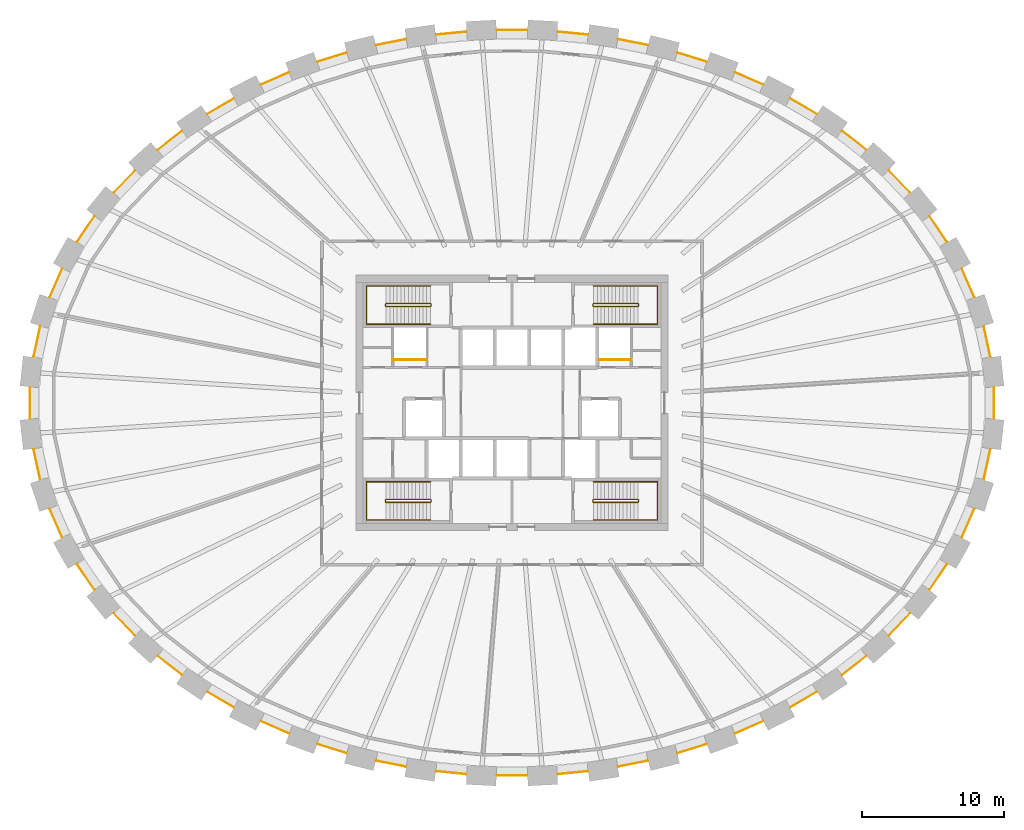
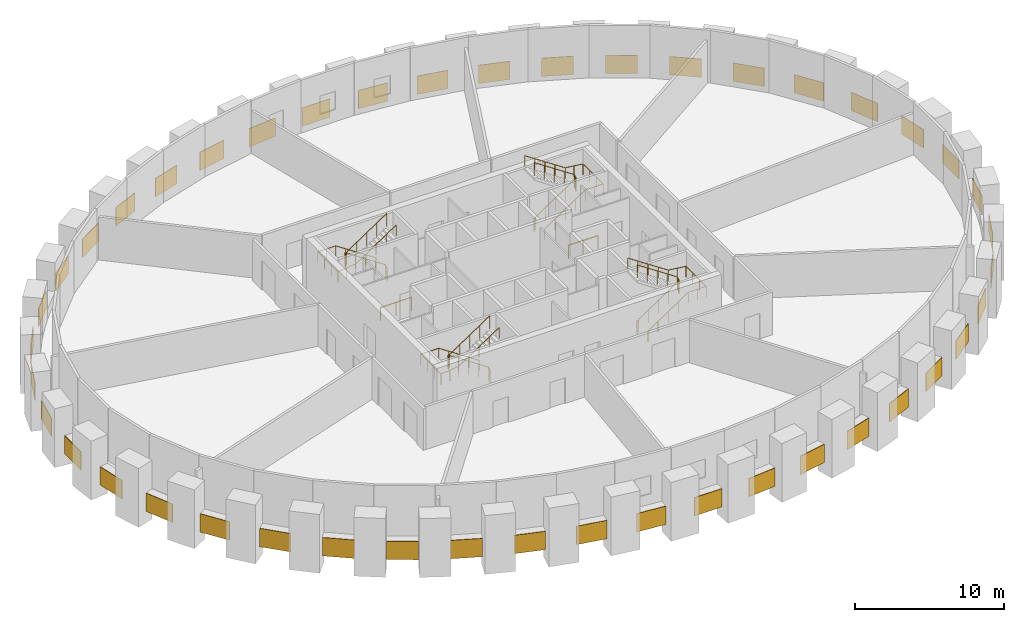
# One storey, part 8 of 8: 44 coverings, 10 railings.
"""IFC4 building model written with IfcOpenShell, lengths in metres."""

from ifc_helpers import new_model, si_unit, direction, frame, origin, origin_2d, place, context, subcontext, project, spatial, rectangle, circle, extrude, source, transform, mapped, material, layer, layer_set, type_object, element, save


model = new_model("IFC4")

# Units and contexts
model_context = context("Model", 3, precision=1e-05, world=origin(), true_north=direction((0.0, 1.0)))
body_context = subcontext(model_context, "Body", "Model", "MODEL_VIEW")
ifc_project = project(units=[si_unit("LENGTHUNIT", "METRE"), si_unit("AREAUNIT", "SQUARE_METRE"), si_unit("VOLUMEUNIT", "CUBIC_METRE"), si_unit("PLANEANGLEUNIT", "RADIAN"), si_unit("MASSUNIT", "GRAM", prefix="KILO")], contexts=[model_context])

# Site, building, storey
site_placement = place(None, origin())
site = spatial("IfcSite", under=ifc_project, at=site_placement, CompositionType="ELEMENT")
building_placement = place(site_placement, origin())
building = spatial("IfcBuilding", under=site, at=building_placement, Name="Embergate Tower", CompositionType="ELEMENT")
storey_placement = place(building_placement, frame((0.0, 0.0, 241.60009765625)))
storey = spatial("IfcBuildingStorey", under=building, at=storey_placement, Name="L55", CompositionType="ELEMENT", Elevation=241.60009765625)

# Coverings
ifc_material_1 = material(Name="Terracotta rainscreen on insulated backing", Category="masonry")
ifc_layer = layer(ifc_material_1, 0.0400390625)
ifc_layer_set = layer_set([ifc_layer], Name="Terracotta rainscreen on insulated backing")
covering_type = type_object("IfcCoveringType", Name="Terracotta rainscreen band", PredefinedType="CLADDING", material=ifc_layer_set)
shared_shape_1 = source(origin(), body_context, "Body", "SweptSolid", [
    extrude(rectangle(XDim=2.19189453125, YDim=0.0400390625, at=origin_2d()), origin(), (0.0, 0.0, 1.0), 1.5),
])
for number, where, z_axis, x_axis, name in (
    (1, (33.475341796875, 4.32373046875, -0.75), (0.0, 0.0, 1.0), (-0.210307958426, 0.977635188924, 0.0), "Rainscreen band 1"),
    (2, (-33.475341796875, 4.32373046875, -0.75), (0.0, 0.0, 1.0), (-0.210307958426, -0.977635188924, 0.0), "Rainscreen band 21"),
    (3, (-33.475341796875, -4.32373046875, -0.75), (0.0, 0.0, 1.0), (0.210307958426, -0.977635188924, 0.0), "Rainscreen band 23"),
    (4, (33.475341796875, -4.32373046875, -0.75), (0.0, 0.0, 1.0), (0.210307958426, 0.977635188924, 0.0), "Rainscreen band 43"),
):
    element("IfcCovering", number, at=place(storey_placement, frame(where, z_axis=z_axis, x_axis=x_axis)), inside=storey, type_object=covering_type, Name=name, PredefinedType="CLADDING", context=body_context, shape_type="MappedRepresentation", body=[
        mapped(shared_shape_1, transform((0.0, 0.0, 0.0))),
    ])
shared_shape_2 = source(origin(), body_context, "Body", "SweptSolid", [
    extrude(rectangle(XDim=2.189697265625, YDim=0.0400390625, at=origin_2d()), origin(), (0.0, 0.0, 1.0), 1.5),
])
for number, where, z_axis, x_axis, name in (
    (5, (32.138916015625, 8.4580078125, -0.75), (0.0, 0.0, 1.0), (-0.401896635782, 0.91568504091, 0.0), "Rainscreen band 2"),
    (6, (-32.138916015625, 8.4580078125, -0.75), (0.0, 0.0, 1.0), (-0.401896635782, -0.91568504091, 0.0), "Rainscreen band 20"),
    (7, (-32.138916015625, -8.4580078125, -0.75), (0.0, 0.0, 1.0), (0.401896635782, -0.91568504091, 0.0), "Rainscreen band 24"),
    (8, (32.138916015625, -8.4580078125, -0.75), (0.0, 0.0, 1.0), (0.401896635782, 0.91568504091, 0.0), "Rainscreen band 42"),
):
    element("IfcCovering", number, at=place(storey_placement, frame(where, z_axis=z_axis, x_axis=x_axis)), inside=storey, type_object=covering_type, Name=name, PredefinedType="CLADDING", context=body_context, shape_type="MappedRepresentation", body=[
        mapped(shared_shape_2, transform((0.0, 0.0, 0.0))),
    ])
shared_shape_3 = source(origin(), body_context, "Body", "SweptSolid", [
    extrude(rectangle(XDim=2.183837890625, YDim=0.0400390625, at=origin_2d()), origin(), (0.0, 0.0, 1.0), 1.5),
])
for number, where, z_axis, x_axis, name in (
    (9, (30.03955078125, 12.2529296875, -0.75), (0.0, 0.0, 1.0), (-0.562285454979, 0.826943206707, 0.0), "Rainscreen band 3"),
    (10, (-30.03955078125, 12.2529296875, -0.75), (0.0, 0.0, 1.0), (-0.562285454979, -0.826943206707, 0.0), "Rainscreen band 19"),
    (11, (-30.03955078125, -12.2529296875, -0.75), (0.0, 0.0, 1.0), (0.562285454979, -0.826943206707, 0.0), "Rainscreen band 25"),
    (12, (30.03955078125, -12.2529296875, -0.75), (0.0, 0.0, 1.0), (0.562285454979, 0.826943206707, 0.0), "Rainscreen band 41"),
):
    element("IfcCovering", number, at=place(storey_placement, frame(where, z_axis=z_axis, x_axis=x_axis)), inside=storey, type_object=covering_type, Name=name, PredefinedType="CLADDING", context=body_context, shape_type="MappedRepresentation", body=[
        mapped(shared_shape_3, transform((0.0, 0.0, 0.0))),
    ])
shared_shape_4 = source(origin(), body_context, "Body", "SweptSolid", [
    extrude(rectangle(XDim=2.176513671875, YDim=0.0400390625, at=origin_2d()), origin(), (0.0, 0.0, 1.0), 1.5),
])
for number, where, z_axis, x_axis, name in (
    (13, (27.306640625, 15.605224609375, -0.75), (0.0, 0.0, 1.0), (-0.690136310586, 0.723679399189, 0.0), "Rainscreen band 4"),
    (14, (-27.306640625, 15.605224609375, -0.75), (0.0, 0.0, 1.0), (-0.690136310586, -0.723679399189, 0.0), "Rainscreen band 18"),
    (15, (-27.306640625, -15.605224609375, -0.75), (0.0, 0.0, 1.0), (0.690136310586, -0.723679399189, 0.0), "Rainscreen band 26"),
    (16, (27.306640625, -15.605224609375, -0.75), (0.0, 0.0, 1.0), (0.690136310586, 0.723679399189, 0.0), "Rainscreen band 40"),
):
    element("IfcCovering", number, at=place(storey_placement, frame(where, z_axis=z_axis, x_axis=x_axis)), inside=storey, type_object=covering_type, Name=name, PredefinedType="CLADDING", context=body_context, shape_type="MappedRepresentation", body=[
        mapped(shared_shape_4, transform((0.0, 0.0, 0.0))),
    ])
shared_shape_5 = source(origin(), body_context, "Body", "SweptSolid", [
    extrude(rectangle(XDim=2.172119140625, YDim=0.0400390625, at=origin_2d()), origin(), (0.0, 0.0, 1.0), 1.5),
])
for number, where, z_axis, x_axis, name in (
    (17, (24.10791015625, 18.501708984375, -0.75), (0.0, 0.0, 1.0), (-0.788136457418, 0.615500547919, 0.0), "Rainscreen band 5"),
    (18, (-24.10791015625, 18.501708984375, -0.75), (0.0, 0.0, 1.0), (-0.788136457418, -0.615500547919, 0.0), "Rainscreen band 17"),
    (19, (-24.10791015625, -18.501708984375, -0.75), (0.0, 0.0, 1.0), (0.788136457418, -0.615500547919, 0.0), "Rainscreen band 27"),
    (20, (24.10791015625, -18.501708984375, -0.75), (0.0, 0.0, 1.0), (0.788136457418, 0.615500547919, 0.0), "Rainscreen band 39"),
):
    element("IfcCovering", number, at=place(storey_placement, frame(where, z_axis=z_axis, x_axis=x_axis)), inside=storey, type_object=covering_type, Name=name, PredefinedType="CLADDING", context=body_context, shape_type="MappedRepresentation", body=[
        mapped(shared_shape_5, transform((0.0, 0.0, 0.0))),
    ])
shared_shape_6 = source(origin(), body_context, "Body", "SweptSolid", [
    extrude(rectangle(XDim=2.166748046875, YDim=0.0400390625, at=origin_2d()), origin(), (0.0, 0.0, 1.0), 1.5),
])
for number, where, z_axis, x_axis, name in (
    (21, (20.53515625, 20.906982421875, -0.75), (0.0, 0.0, 1.0), (-0.862100046017, 0.506738108551, 0.0), "Rainscreen band 6"),
    (22, (-20.53515625, 20.906982421875, -0.75), (0.0, 0.0, 1.0), (-0.862100046017, -0.506738108551, 0.0), "Rainscreen band 16"),
    (23, (-20.53515625, -20.906982421875, -0.75), (0.0, 0.0, 1.0), (0.862100046017, -0.506738108551, 0.0), "Rainscreen band 28"),
    (24, (20.53515625, -20.906982421875, -0.75), (0.0, 0.0, 1.0), (0.862100046017, 0.506738108551, 0.0), "Rainscreen band 38"),
):
    element("IfcCovering", number, at=place(storey_placement, frame(where, z_axis=z_axis, x_axis=x_axis)), inside=storey, type_object=covering_type, Name=name, PredefinedType="CLADDING", context=body_context, shape_type="MappedRepresentation", body=[
        mapped(shared_shape_6, transform((0.0, 0.0, 0.0))),
    ])
shared_shape_7 = source(origin(), body_context, "Body", "SweptSolid", [
    extrude(rectangle(XDim=2.163330078125, YDim=0.0400390625, at=origin_2d()), origin(), (0.0, 0.0, 1.0), 1.5),
])
for number, where, z_axis, x_axis, name in (
    (25, (16.706298828125, 22.860595703125, -0.75), (0.0, 0.0, 1.0), (-0.916178864179, 0.400769620645, 0.0), "Rainscreen band 7"),
    (26, (-16.706298828125, 22.860595703125, -0.75), (0.0, 0.0, 1.0), (-0.916178864179, -0.400769620645, 0.0), "Rainscreen band 15"),
    (27, (-16.706298828125, -22.860595703125, -0.75), (0.0, 0.0, 1.0), (0.916178864179, -0.400769620645, 0.0), "Rainscreen band 29"),
    (28, (16.706298828125, -22.860595703125, -0.75), (0.0, 0.0, 1.0), (0.916178864179, 0.400769620645, 0.0), "Rainscreen band 37"),
):
    element("IfcCovering", number, at=place(storey_placement, frame(where, z_axis=z_axis, x_axis=x_axis)), inside=storey, type_object=covering_type, Name=name, PredefinedType="CLADDING", context=body_context, shape_type="MappedRepresentation", body=[
        mapped(shared_shape_7, transform((0.0, 0.0, 0.0))),
    ])
shared_shape_8 = source(origin(), body_context, "Body", "SweptSolid", [
    extrude(rectangle(XDim=2.161865234375, YDim=0.0400390625, at=origin_2d()), origin(), (0.0, 0.0, 1.0), 1.5),
])
for number, where, z_axis, x_axis, name in (
    (29, (12.68212890625, 24.362060546875, -0.75), (0.0, 0.0, 1.0), (-0.954743151242, 0.297431530201, 0.0), "Rainscreen band 8"),
    (30, (-12.68212890625, 24.362060546875, -0.75), (0.0, 0.0, 1.0), (-0.954743151242, -0.297431530201, 0.0), "Rainscreen band 14"),
    (31, (-12.68212890625, -24.362060546875, -0.75), (0.0, 0.0, 1.0), (0.954743151242, -0.297431530201, 0.0), "Rainscreen band 30"),
    (32, (12.68212890625, -24.362060546875, -0.75), (0.0, 0.0, 1.0), (0.954743151242, 0.297431530201, 0.0), "Rainscreen band 36"),
):
    element("IfcCovering", number, at=place(storey_placement, frame(where, z_axis=z_axis, x_axis=x_axis)), inside=storey, type_object=covering_type, Name=name, PredefinedType="CLADDING", context=body_context, shape_type="MappedRepresentation", body=[
        mapped(shared_shape_8, transform((0.0, 0.0, 0.0))),
    ])
shared_shape_9 = source(origin(), body_context, "Body", "SweptSolid", [
    extrude(rectangle(XDim=2.16015625, YDim=0.0400390625, at=origin_2d()), origin(), (0.0, 0.0, 1.0), 1.5),
])
for number, where, z_axis, x_axis, name in (
    (33, (8.52490234375, 25.423095703125, -0.75), (0.0, 0.0, 1.0), (-0.980455996772, 0.196738502572, 0.0), "Rainscreen band 9"),
    (34, (-8.52490234375, 25.423095703125, -0.75), (0.0, 0.0, 1.0), (-0.980455996772, -0.196738502572, 0.0), "Rainscreen band 13"),
    (35, (-8.52490234375, -25.423095703125, -0.75), (0.0, 0.0, 1.0), (0.980455996772, -0.196738502572, 0.0), "Rainscreen band 31"),
    (36, (8.52490234375, -25.423095703125, -0.75), (0.0, 0.0, 1.0), (0.980455996772, 0.196738502572, 0.0), "Rainscreen band 35"),
):
    element("IfcCovering", number, at=place(storey_placement, frame(where, z_axis=z_axis, x_axis=x_axis)), inside=storey, type_object=covering_type, Name=name, PredefinedType="CLADDING", context=body_context, shape_type="MappedRepresentation", body=[
        mapped(shared_shape_9, transform((0.0, 0.0, 0.0))),
    ])
shared_shape_10 = source(origin(), body_context, "Body", "SweptSolid", [
    extrude(rectangle(XDim=2.1591796875, YDim=0.0400390625, at=origin_2d()), origin(), (0.0, 0.0, 1.0), 1.5),
])
for number, where, z_axis, x_axis, name in (
    (37, (4.28271484375, 26.055908203125, -0.75), (0.0, 0.0, 1.0), (-0.995214447341, 0.097714910862, 0.0), "Rainscreen band 10"),
    (38, (-4.28271484375, 26.055908203125, -0.75), (0.0, 0.0, 1.0), (-0.995214447341, -0.097714910862, 0.0), "Rainscreen band 12"),
    (39, (-4.28271484375, -26.055908203125, -0.75), (0.0, 0.0, 1.0), (0.995214447341, -0.097714910862, 0.0), "Rainscreen band 32"),
    (40, (4.28271484375, -26.055908203125, -0.75), (0.0, 0.0, 1.0), (0.995214447341, 0.097714910862, 0.0), "Rainscreen band 34"),
):
    element("IfcCovering", number, at=place(storey_placement, frame(where, z_axis=z_axis, x_axis=x_axis)), inside=storey, type_object=covering_type, Name=name, PredefinedType="CLADDING", context=body_context, shape_type="MappedRepresentation", body=[
        mapped(shared_shape_10, transform((0.0, 0.0, 0.0))),
    ])
shared_shape_11 = source(origin(), body_context, "Body", "SweptSolid", [
    extrude(rectangle(XDim=2.157958984375, YDim=0.0400390625, at=origin_2d()), origin(), (0.0, 0.0, 1.0), 1.5),
])
for number, where, z_axis, x_axis, name in (
    (41, (0.0, 26.26611328125, -0.75), (0.0, 0.0, 1.0), (-1.0, 0.0, 0.0), "Rainscreen band 11"),
    (42, (0.0, -26.26611328125, -0.75), (0.0, 0.0, 1.0), (1.0, 0.0, 0.0), "Rainscreen band 33"),
):
    element("IfcCovering", number, at=place(storey_placement, frame(where, z_axis=z_axis, x_axis=x_axis)), inside=storey, type_object=covering_type, Name=name, PredefinedType="CLADDING", context=body_context, shape_type="MappedRepresentation", body=[
        mapped(shared_shape_11, transform((0.0, 0.0, 0.0))),
    ])
shared_shape_12 = source(origin(), body_context, "Body", "SweptSolid", [
    extrude(rectangle(XDim=2.197998046875, YDim=0.0400390625, at=origin_2d()), origin(), (0.0, 0.0, 1.0), 1.5),
])
for number, where, z_axis, x_axis, name in (
    (43, (-33.955078125, 0.0, -0.75), (0.0, 0.0, 1.0), (0.0, -1.0, 0.0), "Rainscreen band 22"),
    (44, (33.955078125, 0.0, -0.75), (0.0, 0.0, 1.0), (0.0, 1.0, 0.0), "Rainscreen band 44"),
):
    element("IfcCovering", number, at=place(storey_placement, frame(where, z_axis=z_axis, x_axis=x_axis)), inside=storey, type_object=covering_type, Name=name, PredefinedType="CLADDING", context=body_context, shape_type="MappedRepresentation", body=[
        mapped(shared_shape_12, transform((0.0, 0.0, 0.0))),
    ])

# Railings
ifc_material_2 = material(Name="Stair guard 1100")
railing_type_1 = type_object("IfcRailingType", Name="Stair guard 1100", PredefinedType="GUARDRAIL", material=ifc_material_2)
shared_shape_13 = source(origin(), body_context, "Body", "SweptSolid", [
    extrude(circle(Radius=0.02392578125, at=origin_2d()), frame((0.0, 0.0, 1.076171875), z_axis=(0.0, 1.0, 0.0), x_axis=(-1.0, 0.0, 0.0)), (0.0, 0.0, 1.0), 0.099853515625),
    extrude(circle(Radius=0.02392578125, at=origin_2d()), frame((0.0, 0.099853515625, 1.076171875), z_axis=(-0.267629722418, 0.267629722418, 0.925607186314), x_axis=(-0.707106781187, -0.707106781187, 0.0)), (0.0, 0.0, 1.0), 0.18701171875),
    extrude(circle(Radius=0.02392578125, at=origin_2d()), frame((-0.050048828125, 0.14990234375, 1.2490234375), z_axis=(-0.83244090515, 0.0, 0.554113832559), x_axis=(0.0, -1.0, 0.0)), (0.0, 0.0, 1.0), 3.748046875),
    extrude(circle(Radius=0.02392578125, at=origin_2d()), frame((-3.170166015625, 0.14990234375, 3.326171875), z_axis=(-0.705375805398, -0.708833529934, 0.0), x_axis=(0.708833529934, -0.705375805398, 0.0)), (0.0, 0.0, 1.0), 0.070556640625),
    extrude(circle(Radius=0.02392578125, at=origin_2d()), frame((-3.219970703125, 0.099853515625, 3.326171875), z_axis=(0.0, -1.0, 0.0), x_axis=(1.0, 0.0, 0.0)), (0.0, 0.0, 1.0), 0.099853515625),
    extrude(circle(Radius=0.02392578125, at=origin_2d()), frame((-3.219970703125, 0.0, 3.326171875), z_axis=(0.266417085129, -0.267723051232, 0.925929967433), x_axis=(0.708833529934, 0.705375805398, 0.0)), (0.0, 0.0, 1.0), 0.18701171875),
    extrude(circle(Radius=0.02392578125, at=origin_2d()), frame((-3.170166015625, -0.050048828125, 3.4990234375), z_axis=(0.83244090515, 0.0, 0.554113832559), x_axis=(0.0, 1.0, 0.0)), (0.0, 0.0, 1.0), 3.748046875),
    extrude(circle(Radius=0.02099609375, at=origin_2d()), origin(), (0.0, 0.0, 1.0), 1.052001953125),
    extrude(circle(Radius=0.02099609375, at=origin_2d()), frame((0.0, 0.099853515625, 0.0)), (0.0, 0.0, 1.0), 1.052001953125),
    extrude(circle(Radius=0.02099609375, at=origin_2d()), frame((-0.050048828125, 0.14990234375, 0.173095703125)), (0.0, 0.0, 1.0), 1.052001953125),
    extrude(circle(Radius=0.02099609375, at=origin_2d()), frame((-0.830078125, 0.14990234375, 0.6923828125)), (0.0, 0.0, 1.0), 1.052001953125),
    extrude(circle(Radius=0.02099609375, at=origin_2d()), frame((-1.610107421875, 0.14990234375, 1.21142578125)), (0.0, 0.0, 1.0), 1.052001953125),
    extrude(circle(Radius=0.02099609375, at=origin_2d()), frame((-2.39013671875, 0.14990234375, 1.730712890625)), (0.0, 0.0, 1.0), 1.052001953125),
    extrude(circle(Radius=0.02099609375, at=origin_2d()), frame((-3.170166015625, 0.14990234375, 2.25)), (0.0, 0.0, 1.0), 1.052001953125),
    extrude(circle(Radius=0.02099609375, at=origin_2d()), frame((-3.219970703125, 0.099853515625, 2.25)), (0.0, 0.0, 1.0), 1.052001953125),
    extrude(circle(Radius=0.02099609375, at=origin_2d()), frame((-3.219970703125, 0.0, 2.25)), (0.0, 0.0, 1.0), 1.052001953125),
    extrude(circle(Radius=0.02099609375, at=origin_2d()), frame((-3.170166015625, -0.050048828125, 2.423095703125)), (0.0, 0.0, 1.0), 1.052001953125),
    extrude(circle(Radius=0.02099609375, at=origin_2d()), frame((-2.39013671875, -0.050048828125, 2.9423828125)), (0.0, 0.0, 1.0), 1.052001953125),
    extrude(circle(Radius=0.02099609375, at=origin_2d()), frame((-1.610107421875, -0.050048828125, 3.46142578125)), (0.0, 0.0, 1.0), 1.052001953125),
    extrude(circle(Radius=0.02099609375, at=origin_2d()), frame((-0.830078125, -0.050048828125, 3.980712890625)), (0.0, 0.0, 1.0), 1.052001953125),
    extrude(circle(Radius=0.02099609375, at=origin_2d()), frame((-0.050048828125, -0.050048828125, 4.5)), (0.0, 0.0, 1.0), 1.052001953125),
])
for number, where, name in (
    (45, (-5.699951171875, 6.85009765625, 0.0), "L55 ST1 stair guard 1"),
    (46, (-5.699951171875, -6.949951171875, 0.0), "L55 ST3 stair guard 1"),
):
    element("IfcRailing", number, at=place(storey_placement, frame(where)), inside=storey, type_object=railing_type_1, Name=name, PredefinedType="GUARDRAIL", context=body_context, shape_type="MappedRepresentation", body=[
        mapped(shared_shape_13, transform((0.0, 0.0, 0.0))),
    ])
ifc_material_3 = material(Name="Stair handrail 900")
railing_type_2 = type_object("IfcRailingType", Name="Stair handrail 900", PredefinedType="HANDRAIL", material=ifc_material_3)
shared_shape_14 = source(origin(), body_context, "Body", "SweptSolid", [
    extrude(circle(Radius=0.02392578125, at=origin_2d()), frame((0.0, 0.0, 0.8759765625), z_axis=(-0.83244090515, 0.0, 0.554113832559), x_axis=(0.0, -1.0, 0.0)), (0.0, 0.0, 1.0), 3.748046875),
    extrude(circle(Radius=0.02392578125, at=origin_2d()), frame((-3.1201171875, 0.0, 2.95263671875), z_axis=(-1.0, 0.0, 0.0), x_axis=(0.0, -1.0, 0.0)), (0.0, 0.0, 1.0), 1.3798828125),
    extrude(circle(Radius=0.02392578125, at=origin_2d()), frame((-4.5, 0.0, 2.95263671875), z_axis=(0.0, -1.0, 0.0), x_axis=(1.0, 0.0, 0.0)), (0.0, 0.0, 1.0), 2.699951171875),
    extrude(circle(Radius=0.02392578125, at=origin_2d()), frame((-4.5, -2.699951171875, 2.95263671875), z_axis=(0.992223766409, 0.0, 0.12446685251), x_axis=(0.0, 1.0, 0.0)), (0.0, 0.0, 1.0), 1.390625),
    extrude(circle(Radius=0.02392578125, at=origin_2d()), frame((-3.1201171875, -2.699951171875, 3.1259765625), z_axis=(0.83244090515, 0.0, 0.554113832559), x_axis=(0.0, 1.0, 0.0)), (0.0, 0.0, 1.0), 3.748046875),
    extrude(circle(Radius=0.02099609375, at=origin_2d()), origin(), (0.0, 0.0, 1.0), 0.851806640625),
    extrude(circle(Radius=0.02099609375, at=origin_2d()), frame((-0.780029296875, 0.0, 0.519287109375)), (0.0, 0.0, 1.0), 0.851806640625),
    extrude(circle(Radius=0.02099609375, at=origin_2d()), frame((-1.56005859375, 0.0, 1.03857421875)), (0.0, 0.0, 1.0), 0.851806640625),
    extrude(circle(Radius=0.02099609375, at=origin_2d()), frame((-2.340087890625, 0.0, 1.5576171875)), (0.0, 0.0, 1.0), 0.851806640625),
    extrude(circle(Radius=0.02099609375, at=origin_2d()), frame((-3.1201171875, 0.0, 2.076904296875)), (0.0, 0.0, 1.0), 0.851806640625),
    extrude(circle(Radius=0.02099609375, at=origin_2d()), frame((-3.81005859375, 0.0, 2.076904296875)), (0.0, 0.0, 1.0), 0.851806640625),
    extrude(circle(Radius=0.02099609375, at=origin_2d()), frame((-4.5, 0.0, 2.076904296875)), (0.0, 0.0, 1.0), 0.851806640625),
    extrude(circle(Radius=0.02099609375, at=origin_2d()), frame((-4.5, -0.89990234375, 2.076904296875)), (0.0, 0.0, 1.0), 0.851806640625),
    extrude(circle(Radius=0.02099609375, at=origin_2d()), frame((-4.5, -1.800048828125, 2.076904296875)), (0.0, 0.0, 1.0), 0.851806640625),
    extrude(circle(Radius=0.02099609375, at=origin_2d()), frame((-4.5, -2.699951171875, 2.076904296875)), (0.0, 0.0, 1.0), 0.851806640625),
    extrude(circle(Radius=0.02099609375, at=origin_2d()), frame((-3.81005859375, -2.699951171875, 2.16357421875)), (0.0, 0.0, 1.0), 0.851806640625),
    extrude(circle(Radius=0.02099609375, at=origin_2d()), frame((-3.1201171875, -2.699951171875, 2.25)), (0.0, 0.0, 1.0), 0.851806640625),
    extrude(circle(Radius=0.02099609375, at=origin_2d()), frame((-2.340087890625, -2.699951171875, 2.769287109375)), (0.0, 0.0, 1.0), 0.851806640625),
    extrude(circle(Radius=0.02099609375, at=origin_2d()), frame((-1.56005859375, -2.699951171875, 3.28857421875)), (0.0, 0.0, 1.0), 0.851806640625),
    extrude(circle(Radius=0.02099609375, at=origin_2d()), frame((-0.780029296875, -2.699951171875, 3.8076171875)), (0.0, 0.0, 1.0), 0.851806640625),
    extrude(circle(Radius=0.02099609375, at=origin_2d()), frame((0.0, -2.699951171875, 4.326904296875)), (0.0, 0.0, 1.0), 0.851806640625),
])
for number, where, name in (
    (47, (-5.75, 8.25, 0.173095703125), "L55 ST1 stair handrail 1"),
    (48, (-5.75, -5.550048828125, 0.173095703125), "L55 ST3 stair handrail 1"),
):
    element("IfcRailing", number, at=place(storey_placement, frame(where)), inside=storey, type_object=railing_type_2, Name=name, PredefinedType="HANDRAIL", context=body_context, shape_type="MappedRepresentation", body=[
        mapped(shared_shape_14, transform((0.0, 0.0, 0.0))),
    ])
shared_shape_15 = source(origin(), body_context, "Body", "SweptSolid", [
    extrude(circle(Radius=0.02392578125, at=origin_2d()), frame((0.0, 0.0, 1.076171875), z_axis=(0.0, -1.0, 0.0), x_axis=(1.0, 0.0, 0.0)), (0.0, 0.0, 1.0), 0.099853515625),
    extrude(circle(Radius=0.02392578125, at=origin_2d()), frame((0.0, -0.099853515625, 1.076171875), z_axis=(0.267629722418, -0.267629722418, 0.925607186314), x_axis=(0.707106781187, 0.707106781187, 0.0)), (0.0, 0.0, 1.0), 0.18701171875),
    extrude(circle(Radius=0.02392578125, at=origin_2d()), frame((0.050048828125, -0.14990234375, 1.2490234375), z_axis=(0.83244090515, 0.0, 0.554113832559), x_axis=(0.0, 1.0, 0.0)), (0.0, 0.0, 1.0), 3.748046875),
    extrude(circle(Radius=0.02392578125, at=origin_2d()), frame((3.170166015625, -0.14990234375, 3.326171875), z_axis=(0.705375805398, 0.708833529934, 0.0), x_axis=(-0.708833529934, 0.705375805398, 0.0)), (0.0, 0.0, 1.0), 0.070556640625),
    extrude(circle(Radius=0.02392578125, at=origin_2d()), frame((3.219970703125, -0.099853515625, 3.326171875), z_axis=(0.0, 1.0, 0.0), x_axis=(-1.0, 0.0, 0.0)), (0.0, 0.0, 1.0), 0.099853515625),
    extrude(circle(Radius=0.02392578125, at=origin_2d()), frame((3.219970703125, 0.0, 3.326171875), z_axis=(-0.266417085129, 0.267723051232, 0.925929967433), x_axis=(-0.708833529934, -0.705375805398, 0.0)), (0.0, 0.0, 1.0), 0.18701171875),
    extrude(circle(Radius=0.02392578125, at=origin_2d()), frame((3.170166015625, 0.050048828125, 3.4990234375), z_axis=(-0.83244090515, 0.0, 0.554113832559), x_axis=(0.0, -1.0, 0.0)), (0.0, 0.0, 1.0), 3.748046875),
    extrude(circle(Radius=0.02099609375, at=origin_2d()), origin(), (0.0, 0.0, 1.0), 1.052001953125),
    extrude(circle(Radius=0.02099609375, at=origin_2d()), frame((0.0, -0.099853515625, 0.0)), (0.0, 0.0, 1.0), 1.052001953125),
    extrude(circle(Radius=0.02099609375, at=origin_2d()), frame((0.050048828125, -0.14990234375, 0.173095703125)), (0.0, 0.0, 1.0), 1.052001953125),
    extrude(circle(Radius=0.02099609375, at=origin_2d()), frame((0.830078125, -0.14990234375, 0.6923828125)), (0.0, 0.0, 1.0), 1.052001953125),
    extrude(circle(Radius=0.02099609375, at=origin_2d()), frame((1.610107421875, -0.14990234375, 1.21142578125)), (0.0, 0.0, 1.0), 1.052001953125),
    extrude(circle(Radius=0.02099609375, at=origin_2d()), frame((2.39013671875, -0.14990234375, 1.730712890625)), (0.0, 0.0, 1.0), 1.052001953125),
    extrude(circle(Radius=0.02099609375, at=origin_2d()), frame((3.170166015625, -0.14990234375, 2.25)), (0.0, 0.0, 1.0), 1.052001953125),
    extrude(circle(Radius=0.02099609375, at=origin_2d()), frame((3.219970703125, -0.099853515625, 2.25)), (0.0, 0.0, 1.0), 1.052001953125),
    extrude(circle(Radius=0.02099609375, at=origin_2d()), frame((3.219970703125, 0.0, 2.25)), (0.0, 0.0, 1.0), 1.052001953125),
    extrude(circle(Radius=0.02099609375, at=origin_2d()), frame((3.170166015625, 0.050048828125, 2.423095703125)), (0.0, 0.0, 1.0), 1.052001953125),
    extrude(circle(Radius=0.02099609375, at=origin_2d()), frame((2.39013671875, 0.050048828125, 2.9423828125)), (0.0, 0.0, 1.0), 1.052001953125),
    extrude(circle(Radius=0.02099609375, at=origin_2d()), frame((1.610107421875, 0.050048828125, 3.46142578125)), (0.0, 0.0, 1.0), 1.052001953125),
    extrude(circle(Radius=0.02099609375, at=origin_2d()), frame((0.830078125, 0.050048828125, 3.980712890625)), (0.0, 0.0, 1.0), 1.052001953125),
    extrude(circle(Radius=0.02099609375, at=origin_2d()), frame((0.050048828125, 0.050048828125, 4.5)), (0.0, 0.0, 1.0), 1.052001953125),
])
for number, where, name in (
    (49, (5.699951171875, 6.949951171875, 0.0), "L55 ST2 stair guard 1"),
    (50, (5.699951171875, -6.85009765625, 0.0), "L55 ST4 stair guard 1"),
):
    element("IfcRailing", number, at=place(storey_placement, frame(where)), inside=storey, type_object=railing_type_1, Name=name, PredefinedType="GUARDRAIL", context=body_context, shape_type="MappedRepresentation", body=[
        mapped(shared_shape_15, transform((0.0, 0.0, 0.0))),
    ])
shared_shape_16 = source(origin(), body_context, "Body", "SweptSolid", [
    extrude(circle(Radius=0.02392578125, at=origin_2d()), frame((0.0, 0.0, 0.8759765625), z_axis=(0.83244090515, 0.0, 0.554113832559), x_axis=(0.0, 1.0, 0.0)), (0.0, 0.0, 1.0), 3.748046875),
    extrude(circle(Radius=0.02392578125, at=origin_2d()), frame((3.1201171875, 0.0, 2.95263671875), z_axis=(1.0, 0.0, 0.0), x_axis=(0.0, 1.0, 0.0)), (0.0, 0.0, 1.0), 1.3798828125),
    extrude(circle(Radius=0.02392578125, at=origin_2d()), frame((4.5, 0.0, 2.95263671875), z_axis=(0.0, 1.0, 0.0), x_axis=(-1.0, 0.0, 0.0)), (0.0, 0.0, 1.0), 2.699951171875),
    extrude(circle(Radius=0.02392578125, at=origin_2d()), frame((4.5, 2.699951171875, 2.95263671875), z_axis=(-0.992223766409, 0.0, 0.12446685251), x_axis=(0.0, -1.0, 0.0)), (0.0, 0.0, 1.0), 1.390625),
    extrude(circle(Radius=0.02392578125, at=origin_2d()), frame((3.1201171875, 2.699951171875, 3.1259765625), z_axis=(-0.83244090515, 0.0, 0.554113832559), x_axis=(0.0, -1.0, 0.0)), (0.0, 0.0, 1.0), 3.748046875),
    extrude(circle(Radius=0.02099609375, at=origin_2d()), origin(), (0.0, 0.0, 1.0), 0.851806640625),
    extrude(circle(Radius=0.02099609375, at=origin_2d()), frame((0.780029296875, 0.0, 0.519287109375)), (0.0, 0.0, 1.0), 0.851806640625),
    extrude(circle(Radius=0.02099609375, at=origin_2d()), frame((1.56005859375, 0.0, 1.03857421875)), (0.0, 0.0, 1.0), 0.851806640625),
    extrude(circle(Radius=0.02099609375, at=origin_2d()), frame((2.340087890625, 0.0, 1.5576171875)), (0.0, 0.0, 1.0), 0.851806640625),
    extrude(circle(Radius=0.02099609375, at=origin_2d()), frame((3.1201171875, 0.0, 2.076904296875)), (0.0, 0.0, 1.0), 0.851806640625),
    extrude(circle(Radius=0.02099609375, at=origin_2d()), frame((3.81005859375, 0.0, 2.076904296875)), (0.0, 0.0, 1.0), 0.851806640625),
    extrude(circle(Radius=0.02099609375, at=origin_2d()), frame((4.5, 0.0, 2.076904296875)), (0.0, 0.0, 1.0), 0.851806640625),
    extrude(circle(Radius=0.02099609375, at=origin_2d()), frame((4.5, 0.89990234375, 2.076904296875)), (0.0, 0.0, 1.0), 0.851806640625),
    extrude(circle(Radius=0.02099609375, at=origin_2d()), frame((4.5, 1.800048828125, 2.076904296875)), (0.0, 0.0, 1.0), 0.851806640625),
    extrude(circle(Radius=0.02099609375, at=origin_2d()), frame((4.5, 2.699951171875, 2.076904296875)), (0.0, 0.0, 1.0), 0.851806640625),
    extrude(circle(Radius=0.02099609375, at=origin_2d()), frame((3.81005859375, 2.699951171875, 2.16357421875)), (0.0, 0.0, 1.0), 0.851806640625),
    extrude(circle(Radius=0.02099609375, at=origin_2d()), frame((3.1201171875, 2.699951171875, 2.25)), (0.0, 0.0, 1.0), 0.851806640625),
    extrude(circle(Radius=0.02099609375, at=origin_2d()), frame((2.340087890625, 2.699951171875, 2.769287109375)), (0.0, 0.0, 1.0), 0.851806640625),
    extrude(circle(Radius=0.02099609375, at=origin_2d()), frame((1.56005859375, 2.699951171875, 3.28857421875)), (0.0, 0.0, 1.0), 0.851806640625),
    extrude(circle(Radius=0.02099609375, at=origin_2d()), frame((0.780029296875, 2.699951171875, 3.8076171875)), (0.0, 0.0, 1.0), 0.851806640625),
    extrude(circle(Radius=0.02099609375, at=origin_2d()), frame((0.0, 2.699951171875, 4.326904296875)), (0.0, 0.0, 1.0), 0.851806640625),
])
for number, where, name in (
    (51, (5.75, 5.550048828125, 0.173095703125), "L55 ST2 stair handrail 1"),
    (52, (5.75, -8.25, 0.173095703125), "L55 ST4 stair handrail 1"),
):
    element("IfcRailing", number, at=place(storey_placement, frame(where)), inside=storey, type_object=railing_type_2, Name=name, PredefinedType="HANDRAIL", context=body_context, shape_type="MappedRepresentation", body=[
        mapped(shared_shape_16, transform((0.0, 0.0, 0.0))),
    ])
ifc_material_4 = material(Name="Opening guard 1100")
railing_type_3 = type_object("IfcRailingType", Name="Opening guard 1100", PredefinedType="GUARDRAIL", material=ifc_material_4)
shared_shape_17 = source(origin(), body_context, "Body", "SweptSolid", [
    extrude(circle(Radius=0.02392578125, at=origin_2d()), frame((0.0, 0.0, 1.076171875), z_axis=(1.0, 0.0, 0.0), x_axis=(0.0, 1.0, 0.0)), (0.0, 0.0, 1.0), 2.27490234375),
    extrude(circle(Radius=0.02099609375, at=origin_2d()), origin(), (0.0, 0.0, 1.0), 1.052001953125),
    extrude(circle(Radius=0.02099609375, at=origin_2d()), frame((1.137451171875, 0.0, 0.0)), (0.0, 0.0, 1.0), 1.052001953125),
    extrude(circle(Radius=0.02099609375, at=origin_2d()), frame((2.27490234375, 0.0, 0.0)), (0.0, 0.0, 1.0), 1.052001953125),
])
railing_1_placement = place(storey_placement, frame((6.125, 3.050048828125, 0.0)))
element("IfcRailing", 53, at=railing_1_placement, inside=storey, type_object=railing_type_3, Name="Riser opening guard", PredefinedType="GUARDRAIL", context=body_context, shape_type="MappedRepresentation", body=[
    mapped(shared_shape_17, transform((0.0, 0.0, 0.0))),
])
shared_shape_18 = source(origin(), body_context, "Body", "SweptSolid", [
    extrude(circle(Radius=0.02392578125, at=origin_2d()), frame((0.0, 0.0, 1.076171875), z_axis=(1.0, 0.0, 0.0), x_axis=(0.0, 1.0, 0.0)), (0.0, 0.0, 1.0), 2.39990234375),
    extrude(circle(Radius=0.02099609375, at=origin_2d()), origin(), (0.0, 0.0, 1.0), 1.052001953125),
    extrude(circle(Radius=0.02099609375, at=origin_2d()), frame((1.199951171875, 0.0, 0.0)), (0.0, 0.0, 1.0), 1.052001953125),
    extrude(circle(Radius=0.02099609375, at=origin_2d()), frame((2.39990234375, 0.0, 0.0)), (0.0, 0.0, 1.0), 1.052001953125),
])
railing_2_placement = place(storey_placement, frame((-8.39990234375, 3.050048828125, 0.0)))
element("IfcRailing", 54, at=railing_2_placement, inside=storey, type_object=railing_type_3, Name="Riser opening guard", PredefinedType="GUARDRAIL", context=body_context, shape_type="MappedRepresentation", body=[
    mapped(shared_shape_18, transform((0.0, 0.0, 0.0))),
])

save(model, "model.ifc")
